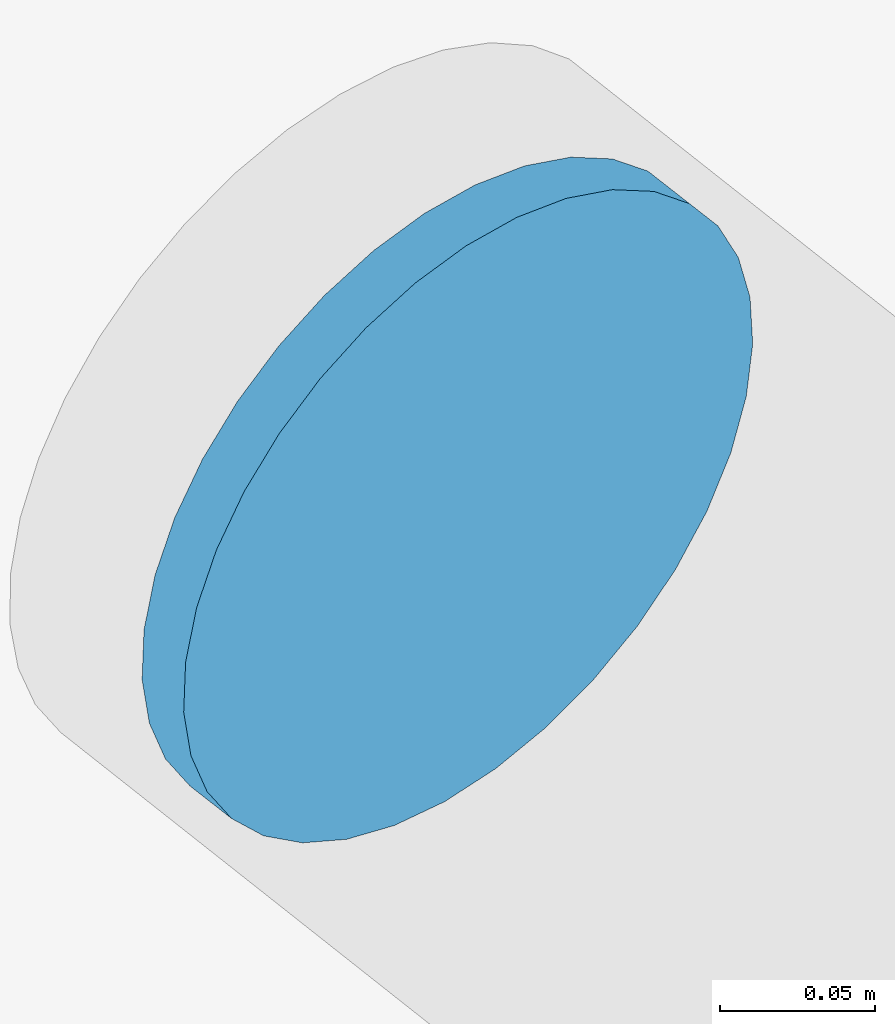
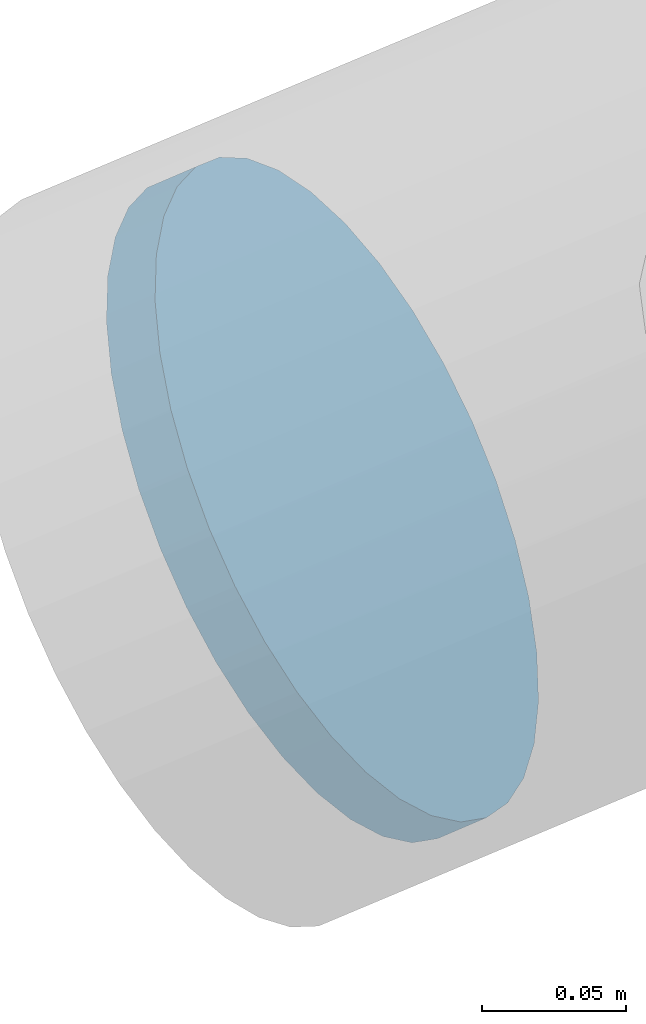
# One storey, part 28 of 38: 1 discrete accessory.
"""IFC4 building model written with IfcOpenShell, lengths in metres."""

import ifcopenshell
import ifcopenshell.guid

model = None  # the IFC model being written
_history = None  # IfcOwnerHistory: only IFC2X3 demands one
_inside = {}  # id of a spatial element -> (the spatial element, [elements in it])
_under = {}  # id of a project, library or spatial element -> (it, [spatial elements below it])
_declared = {}  # id of a project -> (the project, [libraries it declares])
_typed = {}  # id of a type object -> (the type object, [elements of that type])
_made_of = {}  # id of a material, layer set ... -> (it, [elements and type objects made of it])


def new_model(schema):
    """Start an empty IFC model of exactly this schema.

    Asked for "IFC4X3", IfcOpenShell would pick the latest addendum, in which some entities
    have other attributes; the version numbers below select the first issue.
    IFC2X3 requires an IfcOwnerHistory on every rooted entity: one is made here for all.
    """
    global model, _history
    if schema == "IFC4X3":
        model = ifcopenshell.file(schema_version=(4, 3, 0, 0))
    else:
        model = ifcopenshell.file(schema=schema)
    _inside.clear()
    _under.clear()
    _declared.clear()
    _typed.clear()
    _made_of.clear()
    _history = None
    if model.schema == "IFC2X3":
        org = make("IfcOrganization", Name="unknown")
        user = make(
            "IfcPersonAndOrganization",
            ThePerson=make("IfcPerson", FamilyName="unknown"),
            TheOrganization=org,
        )
        app = make(
            "IfcApplication",
            ApplicationDeveloper=org,
            Version="unknown",
            ApplicationFullName="unknown",
            ApplicationIdentifier="unknown",
        )
        _history = make(
            "IfcOwnerHistory",
            OwningUser=user,
            OwningApplication=app,
            ChangeAction="ADDED",
            CreationDate=0,
        )
    return model


def make(cls, **values):
    """One entity of the class cls with the attributes given. An attribute that is None is left unset."""
    return model.create_entity(
        cls, **{name: value for name, value in values.items() if value is not None}
    )


def rooted(cls, **values):
    """An entity with a GlobalId (a new one), such as an element, a storey or a relation."""
    return make(cls, GlobalId=ifcopenshell.guid.new(), OwnerHistory=_history, **values)


def si_unit(unit_type, name, prefix=None):
    """IfcSIUnit, for example si_unit("LENGTHUNIT", "METRE", prefix="MILLI")."""
    return make("IfcSIUnit", UnitType=unit_type, Prefix=prefix, Name=name)


def assignment(units):
    """IfcUnitAssignment: the units of a project."""
    return None if units is None else make("IfcUnitAssignment", Units=units)


def point(xyz):
    """IfcCartesianPoint."""
    return None if xyz is None else make("IfcCartesianPoint", Coordinates=xyz)


def direction(xyz):
    """IfcDirection."""
    return None if xyz is None else make("IfcDirection", DirectionRatios=xyz)


def frame(location, z_axis=None, x_axis=None):
    """IfcAxis2Placement3D, a coordinate frame: its origin and axes. An axis left out is left unset."""
    return make(
        "IfcAxis2Placement3D",
        Location=point(location),
        Axis=direction(z_axis),
        RefDirection=direction(x_axis),
    )


def frame_2d(location, x_axis=None):
    """IfcAxis2Placement2D, a coordinate frame in the plane: its origin and x axis."""
    return make(
        "IfcAxis2Placement2D", Location=point(location), RefDirection=direction(x_axis)
    )


def origin():
    """The frame at (0, 0, 0) with its axes left unset."""
    return frame((0.0, 0.0, 0.0))


def origin_2d():
    """The frame at (0, 0) in the plane with its x axis left unset."""
    return frame_2d((0.0, 0.0))


def place(relative_to, where):
    """IfcLocalPlacement: puts the frame where relative to a parent placement (None: the world)."""
    return make(
        "IfcLocalPlacement", PlacementRelTo=relative_to, RelativePlacement=where
    )


def context(
    kind, dimensions, precision=None, world=None, true_north=None, identifier=None
):
    """IfcGeometricRepresentationContext, for example the 3D "Model" context."""
    return make(
        "IfcGeometricRepresentationContext",
        ContextIdentifier=identifier,
        ContextType=kind,
        CoordinateSpaceDimension=dimensions,
        Precision=precision,
        WorldCoordinateSystem=world,
        TrueNorth=true_north,
    )


def subcontext(parent, identifier, kind, view, scale=None):
    """IfcGeometricRepresentationSubContext, for example "Body" below "Model"."""
    return make(
        "IfcGeometricRepresentationSubContext",
        ContextIdentifier=identifier,
        ContextType=kind,
        ParentContext=parent,
        TargetScale=scale,
        TargetView=view,
    )


def project(units=None, contexts=None):
    """IfcProject with its units and contexts."""
    return rooted(
        "IfcProject",
        Name="project",
        RepresentationContexts=contexts,
        UnitsInContext=assignment(units),
    )


def spatial(cls, under=None, at=None, **own):
    """A site, building, storey or space (cls), placed at a placement, below another one or the project."""
    s = rooted(cls, ObjectPlacement=at, **own)
    if under is not None:
        _under.setdefault(under.id(), (under, []))[1].append(s)
    return s


def profile(cls, at=None, kind="AREA", **sizes):
    """A parametric profile (cls). Its sizes go by their IFC names, for example OverallWidth=200.0."""
    return make(cls, ProfileType=kind, Position=at, **sizes)


def circle(**sizes):
    """IfcCircleProfileDef."""
    return profile("IfcCircleProfileDef", **sizes)


def extrude(swept, where, along, depth):
    """IfcExtrudedAreaSolid: the profile swept, set in the frame where, extruded along a direction by depth."""
    return make(
        "IfcExtrudedAreaSolid",
        SweptArea=swept,
        Position=where,
        ExtrudedDirection=direction(along),
        Depth=depth,
    )


def shape(context_of_items, identifier, shape_type, items):
    """IfcShapeRepresentation: the items that make up one representation, for example the "Body"."""
    return make(
        "IfcShapeRepresentation",
        ContextOfItems=context_of_items,
        RepresentationIdentifier=identifier,
        RepresentationType=shape_type,
        Items=items,
    )


def material(Name=None, Category=None):
    """IfcMaterial."""
    return make("IfcMaterial", Name=Name, Category=Category)


def material_profile(
    of_material, cross_section, Name=None, Category=None, Priority=None
):
    """IfcMaterialProfile: a cross section and its material."""
    return make(
        "IfcMaterialProfile",
        Name=Name,
        Material=of_material,
        Profile=cross_section,
        Priority=Priority,
        Category=Category,
    )


def profile_set(profiles, Name=None, composite=None):
    """IfcMaterialProfileSet."""
    return make(
        "IfcMaterialProfileSet",
        Name=Name,
        MaterialProfiles=profiles,
        CompositeProfile=composite,
    )


def made_of(thing, what):
    """Note that an element or type object is made of a material, layer set ...; save() writes the relation."""
    if what is not None:
        _made_of.setdefault(what.id(), (what, []))[1].append(thing)
    return thing


def type_object(cls, material=None, **own):
    """A type object (cls), such as IfcWallType, which elements share."""
    return made_of(rooted(cls, **own), material)


def element(
    cls,
    number,
    at=None,
    inside=None,
    cuts=None,
    type_object=None,
    material=None,
    context=None,
    identifier="Body",
    shape_type=None,
    held_by="IfcProductDefinitionShape",
    body=None,
    shapes=None,
    **own,
):
    """One element of the class cls, such as IfcWall. Its Tag is "e" and its number.

    at: its placement. inside: the storey or other place that contains it. cuts: it is an
    opening in that element (IfcRelVoidsElement). A single representation is given by context,
    identifier, shape_type and body (its items); several are given by shapes. held_by: the class
    of the entity that holds the representations. save() writes the other relations.
    """
    e = rooted(cls, Tag="e%d" % number, ObjectPlacement=at, **own)
    if body is not None:
        shapes = [shape(context, identifier, shape_type, body)]
    if shapes is not None:
        e.Representation = make(held_by, Representations=shapes)
    if inside is not None:
        _inside.setdefault(inside.id(), (inside, []))[1].append(e)
    if cuts is not None:
        rooted(
            "IfcRelVoidsElement", RelatingBuildingElement=cuts, RelatedOpeningElement=e
        )
    if type_object is not None:
        _typed.setdefault(type_object.id(), (type_object, []))[1].append(e)
    return made_of(e, material)


def aggregate(whole, parts):
    """IfcRelAggregates: a whole, such as a stair, and the parts it consists of."""
    return rooted("IfcRelAggregates", RelatingObject=whole, RelatedObjects=parts)


def save(model, path):
    """Write the relations noted so far, then the file.

    IfcRelAggregates (storeys below a building ...), IfcRelContainedInSpatialStructure (elements
    in a storey), IfcRelDefinesByType, IfcRelAssociatesMaterial and IfcRelDeclares: one each for
    every whole, place, type object, material and project.
    """
    for whole, parts in _under.values():
        aggregate(whole, parts)
    for where, things in _inside.values():
        rooted(
            "IfcRelContainedInSpatialStructure",
            RelatedElements=things,
            RelatingStructure=where,
        )
    for kind, things in _typed.values():
        rooted("IfcRelDefinesByType", RelatedObjects=things, RelatingType=kind)
    for what, things in _made_of.values():
        rooted("IfcRelAssociatesMaterial", RelatedObjects=things, RelatingMaterial=what)
    for by, libraries in _declared.values():
        rooted("IfcRelDeclares", RelatingContext=by, RelatedDefinitions=libraries)
    model.write(path)


model = new_model("IFC4")

# Units and contexts
model_context = context("Model", 3, precision=1e-05, world=origin(), true_north=direction((0.0, 1.0)))
body_context = subcontext(model_context, "Body", "Model", "MODEL_VIEW")
ifc_project = project(units=[si_unit("LENGTHUNIT", "METRE"), si_unit("AREAUNIT", "SQUARE_METRE"), si_unit("VOLUMEUNIT", "CUBIC_METRE"), si_unit("PLANEANGLEUNIT", "RADIAN"), si_unit("MASSUNIT", "GRAM", prefix="KILO")], contexts=[model_context])

# Site, building, storey
site_placement = place(None, origin())
site = spatial("IfcSite", under=ifc_project, at=site_placement, CompositionType="ELEMENT")
building_placement = place(site_placement, origin())
building = spatial("IfcBuilding", under=site, at=building_placement, Name="Rimbun Link Towers", CompositionType="ELEMENT")
storey_placement = place(building_placement, frame((0.0, 0.0, 133.199951171875)))
storey = spatial("IfcBuildingStorey", under=building, at=storey_placement, Name="L32", CompositionType="ELEMENT", Elevation=133.199951171875)

# Discrete accessory
ifc_material = material(Name="Steel S355J2H", Category="steel")
ifc_material_profile = material_profile(ifc_material, circle(Radius=0.1240234375, at=origin_2d()), Name="PL D248")
ifc_profile_set = profile_set([ifc_material_profile], Name="Steel S355J2H")
discrete_accessory_type = type_object("IfcDiscreteAccessoryType", Name="Link foot sealing plate D248X20", PredefinedType="BRACKET", material=ifc_profile_set)
discrete_accessory_placement = place(storey_placement, frame((10.097412109375, 6.74560546875, -2.15185546875), z_axis=(-0.670781588826, 0.524429242173, -0.524429242173), x_axis=(-0.615921966398, -0.787807166322, 0.0)))
element("IfcDiscreteAccessory", 1, at=discrete_accessory_placement, inside=storey, type_object=discrete_accessory_type, Name="Link foot sealing plate T2 L32 08", PredefinedType="BRACKET", context=body_context, shape_type="SweptSolid", body=[
    extrude(circle(Radius=0.1240234375, at=origin_2d()), origin(), (0.0, 0.0, 1.0), 0.02001953125),
])

save(model, "model.ifc")
